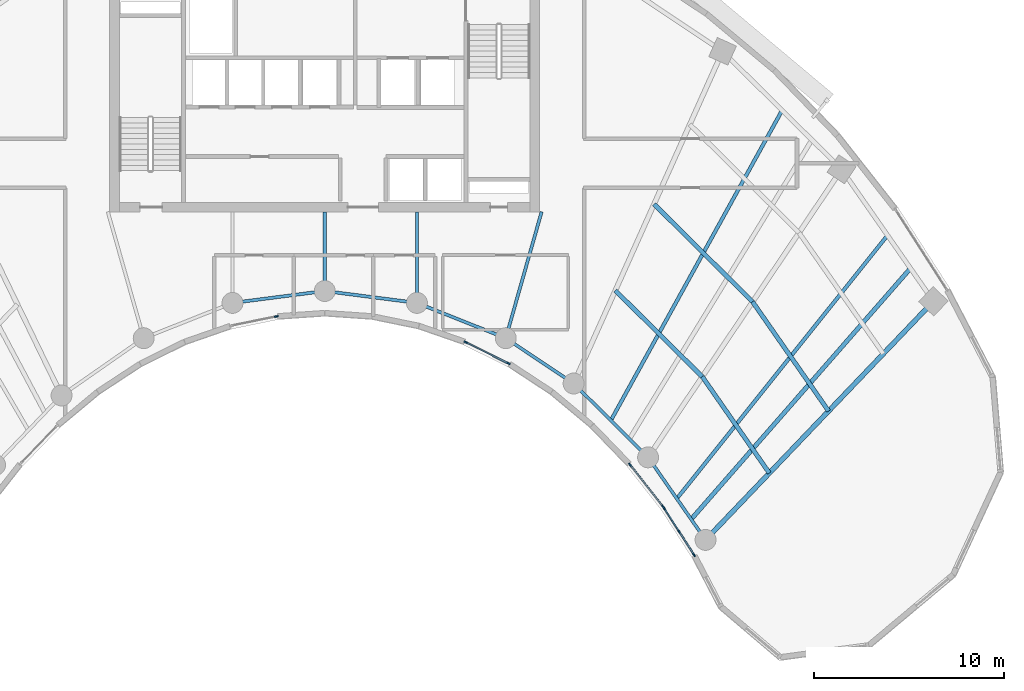
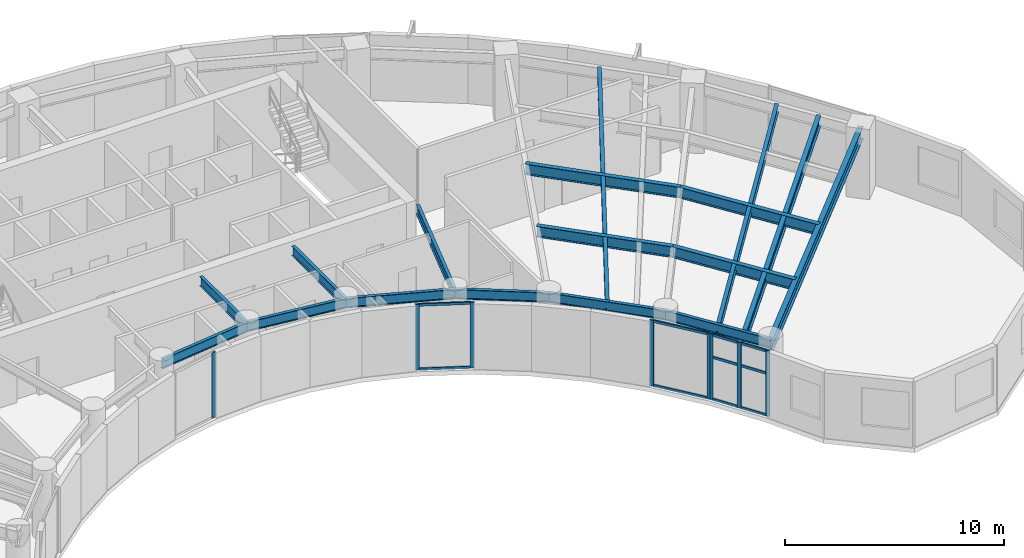
# One storey, part 3 of 13: 18 members, 17 beams, 4 elements without a shape of their own.
"""IFC4 building model written with IfcOpenShell, lengths in metres."""

from ifc_helpers import new_model, si_unit, direction, frame, origin, origin_2d, place, context, subcontext, project, spatial, rectangle, i_section, extrude, source, transform, mapped, material, layer, layer_set, material_profile, profile_set, type_object, type_shapes, element, aggregate, save


model = new_model("IFC4")

# Units and contexts
model_context = context("Model", 3, precision=1e-05, world=origin(), true_north=direction((0.0, 1.0)))
body_context = subcontext(model_context, "Body", "Model", "MODEL_VIEW")
ifc_project = project(units=[si_unit("LENGTHUNIT", "METRE"), si_unit("AREAUNIT", "SQUARE_METRE"), si_unit("VOLUMEUNIT", "CUBIC_METRE"), si_unit("PLANEANGLEUNIT", "RADIAN"), si_unit("MASSUNIT", "GRAM", prefix="KILO")], contexts=[model_context])

# Site, building, storey
site_placement = place(None, origin())
site = spatial("IfcSite", under=ifc_project, at=site_placement, CompositionType="ELEMENT")
building_placement = place(site_placement, origin())
building = spatial("IfcBuilding", under=site, at=building_placement, Name="Breltana Convention Tower", CompositionType="ELEMENT")
storey_placement = place(building_placement, frame((0.0, 0.0, 162.300048828125)))
storey = spatial("IfcBuildingStorey", under=building, at=storey_placement, Name="L39", CompositionType="ELEMENT", Elevation=162.300048828125)

# Beams
ifc_material_1 = material(Name="Steel ASTM A992 Grade 50", Category="steel")
ifc_material_profile_1 = material_profile(ifc_material_1, i_section(OverallWidth=0.25390625, OverallDepth=0.68798828125, WebThickness=0.01318359375, FlangeThickness=0.02099609375, at=origin_2d()), Name="W27X102")
ifc_profile_set_1 = profile_set([ifc_material_profile_1], Name="Steel ASTM A992 Grade 50")
beam_type_1 = type_object("IfcBeamType", Name="BM-RG-W27X102", PredefinedType="USERDEFINED", material=ifc_profile_set_1)
shared_shape_1 = source(origin(), body_context, "Body", "SweptSolid", [
    extrude(i_section(OverallWidth=0.25390625, OverallDepth=0.68798828125, WebThickness=0.01318359375, FlangeThickness=0.02099609375, at=origin_2d()), origin(), (0.0, 0.0, 1.0), 17.341064453125),
])
type_shapes(beam_type_1, [shared_shape_1])
beam_1_placement = place(storey_placement, frame((68.015380859375, 42.95458984375, 3.305908203125), z_axis=(0.690716462293, 0.723125693581, 0.0), x_axis=(-0.723125693581, 0.690716462293, 0.0)))
element("IfcBeam", 1, at=beam_1_placement, inside=storey, type_object=beam_type_1, Name="L39 Radial Floor Girder R11", ObjectType="GIRDER", PredefinedType="USERDEFINED", context=body_context, shape_type="MappedRepresentation", body=[
    mapped(shared_shape_1, transform((0.0, 0.0, 0.0), scale=1.0)),
])
ifc_material_profile_2 = material_profile(ifc_material_1, i_section(OverallWidth=0.166015625, OverallDepth=0.534912109375, WebThickness=0.01025390625, FlangeThickness=0.0166015625, at=origin_2d()), Name="W21X57")
ifc_profile_set_2 = profile_set([ifc_material_profile_2], Name="Steel ASTM A992 Grade 50")
beam_type_2 = type_object("IfcBeamType", Name="BM-BM-W21X57", PredefinedType="BEAM", material=ifc_profile_set_2)
shared_shape_2 = source(origin(), body_context, "Body", "SweptSolid", [
    extrude(i_section(OverallWidth=0.166015625, OverallDepth=0.534912109375, WebThickness=0.01025390625, FlangeThickness=0.0166015625, at=origin_2d()), origin(), (0.0, 0.0, 1.0), 6.904541015625),
])
type_shapes(beam_type_2, [shared_shape_2])
beam_2_placement = place(storey_placement, frame((59.39990234375, 60.199951171875, 3.382568359375), z_axis=(-0.273006781054, -0.962012108811, 0.0), x_axis=(0.962012108811, -0.273006781054, 0.0)))
element("IfcBeam", 2, at=beam_2_placement, inside=storey, type_object=beam_type_2, Name="L39 South Core Tie Girder R08", PredefinedType="BEAM", context=body_context, shape_type="MappedRepresentation", body=[
    mapped(shared_shape_2, transform((0.0, 0.0, 0.0), scale=1.0)),
])
shared_shape_3 = source(origin(), body_context, "Body", "SweptSolid", [
    extrude(i_section(OverallWidth=0.166015625, OverallDepth=0.534912109375, WebThickness=0.01025390625, FlangeThickness=0.0166015625, at=origin_2d()), origin(), (0.0, 0.0, 1.0), 4.789306640625),
])
beam_3_placement = place(storey_placement, frame((52.846435546875, 60.199951171875, 3.382568359375), z_axis=(0.0, -1.0, 0.0), x_axis=(1.0, 0.0, 0.0)))
element("IfcBeam", 3, at=beam_3_placement, inside=storey, type_object=beam_type_2, Name="L39 South Core Tie Girder R07", PredefinedType="BEAM", context=body_context, shape_type="MappedRepresentation", body=[
    mapped(shared_shape_3, transform((0.0, 0.0, 0.0), scale=1.0)),
])
shared_shape_4 = source(origin(), body_context, "Body", "SweptSolid", [
    extrude(i_section(OverallWidth=0.166015625, OverallDepth=0.534912109375, WebThickness=0.01025390625, FlangeThickness=0.0166015625, at=origin_2d()), origin(), (0.0, 0.0, 1.0), 4.1640625),
])
beam_4_placement = place(storey_placement, frame((48.0, 60.199951171875, 3.382568359375), z_axis=(0.0, -1.0, 0.0), x_axis=(1.0, 0.0, 0.0)))
element("IfcBeam", 4, at=beam_4_placement, inside=storey, type_object=beam_type_2, Name="L39 South Core Tie Girder R06", PredefinedType="BEAM", context=body_context, shape_type="MappedRepresentation", body=[
    mapped(shared_shape_4, transform((0.0, 0.0, 0.0), scale=1.0)),
])
shared_shape_5 = source(origin(), body_context, "Body", "SweptSolid", [
    extrude(i_section(OverallWidth=0.166015625, OverallDepth=0.534912109375, WebThickness=0.01025390625, FlangeThickness=0.0166015625, at=origin_2d()), origin(), (0.0, 0.0, 1.0), 5.022705078125),
])
beam_5_placement = place(storey_placement, frame((52.846435546875, 55.41064453125, 3.382568359375), z_axis=(0.929458966248, -0.368925507469, 0.0), x_axis=(0.368925507469, 0.929458966248, 0.0)))
element("IfcBeam", 5, at=beam_5_placement, inside=storey, type_object=beam_type_2, Name="L39 Inner Ring Beam 07", PredefinedType="BEAM", context=body_context, shape_type="MappedRepresentation", body=[
    mapped(shared_shape_5, transform((0.0, 0.0, 0.0), scale=1.0)),
])
shared_shape_6 = source(origin(), body_context, "Body", "SweptSolid", [
    extrude(i_section(OverallWidth=0.166015625, OverallDepth=0.534912109375, WebThickness=0.01025390625, FlangeThickness=0.0166015625, at=origin_2d()), origin(), (0.0, 0.0, 1.0), 4.88671875),
])
for number, where, z_axis, x_axis, name in (
    (6, (43.153564453125, 55.41064453125, 3.382568359375), (0.991780525565, 0.127950729231, 0.0), (-0.127950729231, 0.991780525565, 0.0), "L39 Inner Ring Beam 05"),
    (7, (48.0, 56.035888671875, 3.382568359375), (0.991780525565, -0.127950729231, 0.0), (0.127950729231, 0.991780525565, 0.0), "L39 Inner Ring Beam 06"),
):
    element("IfcBeam", number, at=place(storey_placement, frame(where, z_axis=z_axis, x_axis=x_axis)), inside=storey, type_object=beam_type_2, Name=name, PredefinedType="BEAM", context=body_context, shape_type="MappedRepresentation", body=[
        mapped(shared_shape_6, transform((0.0, 0.0, 0.0), scale=1.0)),
    ])
shared_shape_7 = source(origin(), body_context, "Body", "SweptSolid", [
    extrude(i_section(OverallWidth=0.166015625, OverallDepth=0.534912109375, WebThickness=0.01025390625, FlangeThickness=0.0166015625, at=origin_2d()), origin(), (0.0, 0.0, 1.0), 4.2900390625),
])
beam_6_placement = place(storey_placement, frame((57.514892578125, 53.5576171875, 3.382568359375), z_axis=(0.831515827753, -0.555501060482, 0.0), x_axis=(0.555501060482, 0.831515827753, 0.0)))
element("IfcBeam", 8, at=beam_6_placement, inside=storey, type_object=beam_type_2, Name="L39 Inner Ring Beam 08", PredefinedType="BEAM", context=body_context, shape_type="MappedRepresentation", body=[
    mapped(shared_shape_7, transform((0.0, 0.0, 0.0), scale=1.0)),
])
shared_shape_8 = source(origin(), body_context, "Body", "SweptSolid", [
    extrude(i_section(OverallWidth=0.166015625, OverallDepth=0.534912109375, WebThickness=0.01025390625, FlangeThickness=0.0166015625, at=origin_2d()), origin(), (0.0, 0.0, 1.0), 5.51171875),
])
beam_7_placement = place(storey_placement, frame((61.08203125, 51.174560546875, 3.382568359375), z_axis=(0.710090360749, -0.704110559196, 0.0), x_axis=(0.704110559196, 0.710090360749, 0.0)))
element("IfcBeam", 9, at=beam_7_placement, inside=storey, type_object=beam_type_2, Name="L39 Inner Ring Beam 09", PredefinedType="BEAM", context=body_context, shape_type="MappedRepresentation", body=[
    mapped(shared_shape_8, transform((0.0, 0.0, 0.0), scale=1.0)),
])
shared_shape_9 = source(origin(), body_context, "Body", "SweptSolid", [
    extrude(i_section(OverallWidth=0.166015625, OverallDepth=0.534912109375, WebThickness=0.01025390625, FlangeThickness=0.0166015625, at=origin_2d()), origin(), (0.0, 0.0, 1.0), 5.286376953125),
])
beam_8_placement = place(storey_placement, frame((64.995849609375, 47.293701171875, 3.382568359375), z_axis=(0.571194382458, -0.82081482531, 0.0), x_axis=(0.82081482531, 0.571194382458, 0.0)))
element("IfcBeam", 10, at=beam_8_placement, inside=storey, type_object=beam_type_2, Name="L39 Inner Ring Beam 10", PredefinedType="BEAM", context=body_context, shape_type="MappedRepresentation", body=[
    mapped(shared_shape_9, transform((0.0, 0.0, 0.0), scale=1.0)),
])
ifc_material_profile_3 = material_profile(ifc_material_1, i_section(OverallWidth=0.22802734375, OverallDepth=0.60791015625, WebThickness=0.01123046875, FlangeThickness=0.017333984375, at=origin_2d()), Name="W24X76")
ifc_profile_set_3 = profile_set([ifc_material_profile_3], Name="Steel ASTM A992 Grade 50")
beam_type_3 = type_object("IfcBeamType", Name="BM-JSG-02", PredefinedType="JOIST", material=ifc_profile_set_3)
shared_shape_10 = source(origin(), body_context, "Body", "SweptSolid", [
    extrude(i_section(OverallWidth=0.22802734375, OverallDepth=0.60791015625, WebThickness=0.01123046875, FlangeThickness=0.017333984375, at=origin_2d()), origin(), (0.0, 0.0, 1.0), 6.435302734375),
])
beam_9_placement = place(storey_placement, frame((63.27392578125, 56.06298828125, 3.345947265625), z_axis=(0.710116389828, -0.704084308089, 0.0), x_axis=(0.704084308089, 0.710116389828, 0.0)))
element("IfcBeam", 11, at=beam_9_placement, inside=storey, type_object=beam_type_3, Name="L39 Composite Floor Joist 09.1", PredefinedType="JOIST", context=body_context, shape_type="MappedRepresentation", body=[
    mapped(shared_shape_10, transform((0.0, 0.0, 0.0), scale=1.0)),
])
shared_shape_11 = source(origin(), body_context, "Body", "SweptSolid", [
    extrude(i_section(OverallWidth=0.22802734375, OverallDepth=0.60791015625, WebThickness=0.01123046875, FlangeThickness=0.017333984375, at=origin_2d()), origin(), (0.0, 0.0, 1.0), 7.29296875),
])
beam_10_placement = place(storey_placement, frame((65.309326171875, 60.602294921875, 3.345947265625), z_axis=(0.710096551013, -0.704104316305, 0.0), x_axis=(0.704104316305, 0.710096551013, 0.0)))
element("IfcBeam", 12, at=beam_10_placement, inside=storey, type_object=beam_type_3, Name="L39 Composite Floor Joist 09.2", PredefinedType="JOIST", context=body_context, shape_type="MappedRepresentation", body=[
    mapped(shared_shape_11, transform((0.0, 0.0, 0.0), scale=1.0)),
])
ifc_material_profile_4 = material_profile(ifc_material_1, i_section(OverallWidth=0.19091796875, OverallDepth=0.4599609375, WebThickness=0.010009765625, FlangeThickness=0.01611328125, at=origin_2d()), Name="W18X55")
ifc_profile_set_4 = profile_set([ifc_material_profile_4], Name="Steel ASTM A992 Grade 50")
beam_type_4 = type_object("IfcBeamType", Name="BM-JSG-07", PredefinedType="JOIST", material=ifc_profile_set_4)
shared_shape_12 = source(origin(), body_context, "Body", "SweptSolid", [
    extrude(i_section(OverallWidth=0.19091796875, OverallDepth=0.4599609375, WebThickness=0.010009765625, FlangeThickness=0.01611328125, at=origin_2d()), origin(), (0.0, 0.0, 1.0), 18.617431640625),
])
beam_11_placement = place(storey_placement, frame((63.038818359375, 49.234130859375, 3.419921875), z_axis=(0.483405602507, 0.875396495004, 0.0), x_axis=(-0.875396495004, 0.483405602507, 0.0)))
element("IfcBeam", 13, at=beam_11_placement, inside=storey, type_object=beam_type_4, Name="L39 Mid-Bay Radial Trimmer 09", PredefinedType="JOIST", context=body_context, shape_type="MappedRepresentation", body=[
    mapped(shared_shape_12, transform((0.0, 0.0, 0.0), scale=1.0)),
])
shared_shape_13 = source(origin(), body_context, "Body", "SweptSolid", [
    extrude(i_section(OverallWidth=0.22802734375, OverallDepth=0.60791015625, WebThickness=0.01123046875, FlangeThickness=0.017333984375, at=origin_2d()), origin(), (0.0, 0.0, 1.0), 6.172119140625),
])
beam_12_placement = place(storey_placement, frame((67.84375, 51.531982421875, 3.345947265625), z_axis=(0.571211663392, -0.820802799462, 0.0), x_axis=(0.820802799462, 0.571211663392, 0.0)))
element("IfcBeam", 14, at=beam_12_placement, inside=storey, type_object=beam_type_3, Name="L39 Composite Floor Joist 10.1", PredefinedType="JOIST", context=body_context, shape_type="MappedRepresentation", body=[
    mapped(shared_shape_13, transform((0.0, 0.0, 0.0), scale=1.0)),
])
shared_shape_14 = source(origin(), body_context, "Body", "SweptSolid", [
    extrude(i_section(OverallWidth=0.22802734375, OverallDepth=0.60791015625, WebThickness=0.01123046875, FlangeThickness=0.017333984375, at=origin_2d()), origin(), (0.0, 0.0, 1.0), 6.99462890625),
])
beam_13_placement = place(storey_placement, frame((70.488037109375, 55.46728515625, 3.345947265625), z_axis=(0.571206630732, -0.820806301759, 0.0), x_axis=(0.820806301759, 0.571206630732, 0.0)))
element("IfcBeam", 15, at=beam_13_placement, inside=storey, type_object=beam_type_3, Name="L39 Composite Floor Joist 10.2", PredefinedType="JOIST", context=body_context, shape_type="MappedRepresentation", body=[
    mapped(shared_shape_14, transform((0.0, 0.0, 0.0), scale=1.0)),
])
shared_shape_15 = source(origin(), body_context, "Body", "SweptSolid", [
    extrude(i_section(OverallWidth=0.19091796875, OverallDepth=0.4599609375, WebThickness=0.010009765625, FlangeThickness=0.01611328125, at=origin_2d()), origin(), (0.0, 0.0, 1.0), 17.7236328125),
])
beam_14_placement = place(storey_placement, frame((66.505615234375, 45.124267578125, 3.419921875), z_axis=(0.624829427563, 0.78076128647, 0.0), x_axis=(-0.78076128647, 0.624829427563, 0.0)))
element("IfcBeam", 16, at=beam_14_placement, inside=storey, type_object=beam_type_4, Name="L39 Mid-Bay Radial Trimmer 10", PredefinedType="JOIST", context=body_context, shape_type="MappedRepresentation", body=[
    mapped(shared_shape_15, transform((0.0, 0.0, 0.0), scale=1.0)),
])
shared_shape_16 = source(origin(), body_context, "Body", "SweptSolid", [
    extrude(i_section(OverallWidth=0.22802734375, OverallDepth=0.60791015625, WebThickness=0.01123046875, FlangeThickness=0.017333984375, at=origin_2d()), origin(), (0.0, 0.0, 1.0), 17.515625),
])
beam_15_placement = place(storey_placement, frame((67.260498046875, 44.03955078125, 3.345947265625), z_axis=(0.658051548324, 0.752972881151, 0.0), x_axis=(-0.752972881151, 0.658051548324, 0.0)))
element("IfcBeam", 17, at=beam_15_placement, inside=storey, type_object=beam_type_3, Name="L39 Quarter-Bay Radial Trimmer 10", PredefinedType="JOIST", context=body_context, shape_type="MappedRepresentation", body=[
    mapped(shared_shape_16, transform((0.0, 0.0, 0.0), scale=1.0)),
])

# Curtain wall, members
ifc_material_2 = material(Name="Aluminium Anodised Bronze Frame", Category="aluminium")
ifc_layer = layer(ifc_material_2, 0.18994140625, Name="Aluminium Anodised Bronze Frame")
ifc_layer_set = layer_set([ifc_layer], Name="Aluminium Anodised Bronze Frame")
curtain_wall_type = type_object("IfcCurtainWallType", Name="CW-SYS-1", PredefinedType="NOTDEFINED", material=ifc_layer_set)
curtain_wall_1_placement = place(storey_placement, origin())
curtain_wall_1 = element("IfcCurtainWall", 18, at=curtain_wall_1_placement, inside=storey, type_object=curtain_wall_type, Name="L39 inner south-court glazing 1", PredefinedType="NOTDEFINED")
ifc_material_3 = material(Name="Aluminium Anodised Bronze", Category="aluminium")
ifc_material_profile_5 = material_profile(ifc_material_3, rectangle(XDim=0.080078125, YDim=0.199951171875, at=origin_2d()), Name="CWM-80X200")
ifc_profile_set_5 = profile_set([ifc_material_profile_5], Name="Aluminium Anodised Bronze")
member_type_1 = type_object("IfcMemberType", Name="CWM-200", PredefinedType="MULLION", material=ifc_profile_set_5)
shared_shape_17 = source(origin(), body_context, "Body", "SweptSolid", [
    extrude(rectangle(XDim=0.080078125, YDim=0.199951171875, at=origin_2d()), origin(), (0.0, 0.0, 1.0), 3.64990234375),
])
member_1_placement = place(storey_placement, frame((67.40966796875, 42.17041015625, 0.0), z_axis=(0.0, 0.0, 1.0), x_axis=(-0.841546744491, -0.540184298954, 0.0)))
member_1 = element("IfcMember", 19, at=member_1_placement, type_object=member_type_1, Name="CW-01 mullion 1", PredefinedType="MULLION", context=body_context, shape_type="MappedRepresentation", body=[
    mapped(shared_shape_17, transform((0.0, 0.0, 0.0), scale=1.0)),
])
member_2_placement = place(storey_placement, frame((66.626220703125, 43.390869140625, 0.0), z_axis=(0.0, 0.0, 1.0), x_axis=(-0.841546744491, -0.540184298954, 0.0)))
member_2 = element("IfcMember", 20, at=member_2_placement, type_object=member_type_1, Name="CW-01 mullion 2", PredefinedType="MULLION", context=body_context, shape_type="MappedRepresentation", body=[
    mapped(shared_shape_17, transform((0.0, 0.0, 0.0), scale=1.0)),
])
member_3_placement = place(storey_placement, frame((65.843017578125, 44.611328125, 0.0), z_axis=(0.0, 0.0, 1.0), x_axis=(-0.841546744491, -0.540184298954, 0.0)))
member_3 = element("IfcMember", 21, at=member_3_placement, type_object=member_type_1, Name="CW-01 mullion 3", PredefinedType="MULLION", context=body_context, shape_type="MappedRepresentation", body=[
    mapped(shared_shape_17, transform((0.0, 0.0, 0.0), scale=1.0)),
])

curtain_wall_2_placement = place(storey_placement, origin())
curtain_wall_2 = element("IfcCurtainWall", 22, at=curtain_wall_2_placement, inside=storey, type_object=curtain_wall_type, Name="L39 inner south-court glazing 2", PredefinedType="NOTDEFINED")
member_4_placement = place(storey_placement, frame((65.78662109375, 44.6904296875, 0.0), z_axis=(0.0, 0.0, 1.0), x_axis=(-0.786051168431, -0.618161435717, 0.0)))
member_4 = element("IfcMember", 23, at=member_4_placement, type_object=member_type_1, Name="CW-01 mullion 1", PredefinedType="MULLION", context=body_context, shape_type="MappedRepresentation", body=[
    mapped(shared_shape_17, transform((0.0, 0.0, 0.0), scale=1.0)),
])
member_5_placement = place(storey_placement, frame((64.045166015625, 46.905029296875, 0.0), z_axis=(0.0, 0.0, 1.0), x_axis=(-0.786051168431, -0.618161435717, 0.0)))
member_5 = element("IfcMember", 24, at=member_5_placement, type_object=member_type_1, Name="CW-01 mullion 2", PredefinedType="MULLION", context=body_context, shape_type="MappedRepresentation", body=[
    mapped(shared_shape_17, transform((0.0, 0.0, 0.0), scale=1.0)),
])

curtain_wall_3_placement = place(storey_placement, origin())
curtain_wall_3 = element("IfcCurtainWall", 25, at=curtain_wall_3_placement, inside=storey, type_object=curtain_wall_type, Name="L39 inner south-court glazing 3", PredefinedType="NOTDEFINED")
member_6_placement = place(storey_placement, frame((57.65625, 52.23095703125, 0.0), z_axis=(0.0, 0.0, 1.0), x_axis=(-0.444115496562, -0.895969545082, 0.0)))
member_6 = element("IfcMember", 26, at=member_6_placement, type_object=member_type_1, Name="CW-01 mullion 1", PredefinedType="MULLION", context=body_context, shape_type="MappedRepresentation", body=[
    mapped(shared_shape_17, transform((0.0, 0.0, 0.0), scale=1.0)),
])
member_7_placement = place(storey_placement, frame((55.412353515625, 53.34326171875, 0.0), z_axis=(0.0, 0.0, 1.0), x_axis=(-0.444115496562, -0.895969545082, 0.0)))
member_7 = element("IfcMember", 27, at=member_7_placement, type_object=member_type_1, Name="CW-01 mullion 2", PredefinedType="MULLION", context=body_context, shape_type="MappedRepresentation", body=[
    mapped(shared_shape_17, transform((0.0, 0.0, 0.0), scale=1.0)),
])

# Curtain wall, member
curtain_wall_4_placement = place(storey_placement, origin())
curtain_wall_4 = element("IfcCurtainWall", 28, at=curtain_wall_4_placement, inside=storey, type_object=curtain_wall_type, Name="L39 inner south-court glazing 4", PredefinedType="NOTDEFINED")
member_8_placement = place(storey_placement, frame((45.458740234375, 54.69677734375, 0.0), z_axis=(0.0, 0.0, 1.0), x_axis=(0.200861178299, -0.979619715529, 0.0)))
member_8 = element("IfcMember", 29, at=member_8_placement, type_object=member_type_1, Name="CW-01 mullion 1", PredefinedType="MULLION", context=body_context, shape_type="MappedRepresentation", body=[
    mapped(shared_shape_17, transform((0.0, 0.0, 0.0), scale=1.0)),
])
aggregate(curtain_wall_4, [member_8])

# Member
ifc_material_profile_6 = material_profile(ifc_material_3, rectangle(XDim=0.080078125, YDim=0.139892578125, at=origin_2d()), Name="CWT-80X140")
ifc_profile_set_6 = profile_set([ifc_material_profile_6], Name="Aluminium Anodised Bronze")
member_type_2 = type_object("IfcMemberType", Name="CWT-140", PredefinedType="USERDEFINED", material=ifc_profile_set_6)
shared_shape_18 = source(origin(), body_context, "Body", "SweptSolid", [
    extrude(rectangle(XDim=0.080078125, YDim=0.139892578125, at=origin_2d()), origin(), (0.0, 0.0, 1.0), 1.3701171875),
])
member_9_placement = place(storey_placement, frame((67.38818359375, 42.2041015625, 0.0400390625), z_axis=(-0.540226175019, 0.841519863, 0.0), x_axis=(-0.841519863, -0.540226175019, 0.0)))
member_9 = element("IfcMember", 30, at=member_9_placement, type_object=member_type_2, Name="CW-01 transom 1.1", ObjectType="TRANSOM", PredefinedType="USERDEFINED", context=body_context, shape_type="MappedRepresentation", body=[
    mapped(shared_shape_18, transform((0.0, 0.0, 0.0), scale=1.0)),
])

member_10_placement = place(storey_placement, frame((67.38818359375, 42.2041015625, 2.37255859375), z_axis=(-0.540226175019, 0.841519863, 0.0), x_axis=(-0.841519863, -0.540226175019, 0.0)))
member_10 = element("IfcMember", 31, at=member_10_placement, type_object=member_type_2, Name="CW-01 transom 1.2", ObjectType="TRANSOM", PredefinedType="USERDEFINED", context=body_context, shape_type="MappedRepresentation", body=[
    mapped(shared_shape_18, transform((0.0, 0.0, 0.0), scale=1.0)),
])

member_11_placement = place(storey_placement, frame((67.38818359375, 42.2041015625, 3.60986328125), z_axis=(-0.540226175019, 0.841519863, 0.0), x_axis=(-0.841519863, -0.540226175019, 0.0)))
member_11 = element("IfcMember", 32, at=member_11_placement, type_object=member_type_2, Name="CW-01 transom 1.3", ObjectType="TRANSOM", PredefinedType="USERDEFINED", context=body_context, shape_type="MappedRepresentation", body=[
    mapped(shared_shape_18, transform((0.0, 0.0, 0.0), scale=1.0)),
])

member_12_placement = place(storey_placement, frame((66.604736328125, 43.424560546875, 0.0400390625), z_axis=(-0.540226175019, 0.841519863, 0.0), x_axis=(-0.841519863, -0.540226175019, 0.0)))
member_12 = element("IfcMember", 33, at=member_12_placement, type_object=member_type_2, Name="CW-01 transom 2.1", ObjectType="TRANSOM", PredefinedType="USERDEFINED", context=body_context, shape_type="MappedRepresentation", body=[
    mapped(shared_shape_18, transform((0.0, 0.0, 0.0), scale=1.0)),
])

member_13_placement = place(storey_placement, frame((66.604736328125, 43.424560546875, 2.37255859375), z_axis=(-0.540226175019, 0.841519863, 0.0), x_axis=(-0.841519863, -0.540226175019, 0.0)))
member_13 = element("IfcMember", 34, at=member_13_placement, type_object=member_type_2, Name="CW-01 transom 2.2", ObjectType="TRANSOM", PredefinedType="USERDEFINED", context=body_context, shape_type="MappedRepresentation", body=[
    mapped(shared_shape_18, transform((0.0, 0.0, 0.0), scale=1.0)),
])

member_14_placement = place(storey_placement, frame((66.604736328125, 43.424560546875, 3.60986328125), z_axis=(-0.540226175019, 0.841519863, 0.0), x_axis=(-0.841519863, -0.540226175019, 0.0)))
member_14 = element("IfcMember", 35, at=member_14_placement, type_object=member_type_2, Name="CW-01 transom 2.3", ObjectType="TRANSOM", PredefinedType="USERDEFINED", context=body_context, shape_type="MappedRepresentation", body=[
    mapped(shared_shape_18, transform((0.0, 0.0, 0.0), scale=1.0)),
])

aggregate(curtain_wall_1, [member_1, member_2, member_3, member_9, member_10, member_11, member_12, member_13, member_14])

shared_shape_19 = source(origin(), body_context, "Body", "SweptSolid", [
    extrude(rectangle(XDim=0.080078125, YDim=0.139892578125, at=origin_2d()), origin(), (0.0, 0.0, 1.0), 2.7373046875),
])
member_15_placement = place(storey_placement, frame((65.761962890625, 44.721923828125, 0.0400390625), z_axis=(-0.618179938224, 0.786036617453, 0.0), x_axis=(-0.786036617453, -0.618179938224, 0.0)))
member_15 = element("IfcMember", 36, at=member_15_placement, type_object=member_type_2, Name="CW-01 transom 1.1", ObjectType="TRANSOM", PredefinedType="USERDEFINED", context=body_context, shape_type="MappedRepresentation", body=[
    mapped(shared_shape_19, transform((0.0, 0.0, 0.0), scale=1.0)),
])

member_16_placement = place(storey_placement, frame((65.761962890625, 44.721923828125, 3.60986328125), z_axis=(-0.618179938224, 0.786036617453, 0.0), x_axis=(-0.786036617453, -0.618179938224, 0.0)))
member_16 = element("IfcMember", 37, at=member_16_placement, type_object=member_type_2, Name="CW-01 transom 1.2", ObjectType="TRANSOM", PredefinedType="USERDEFINED", context=body_context, shape_type="MappedRepresentation", body=[
    mapped(shared_shape_19, transform((0.0, 0.0, 0.0), scale=1.0)),
])

aggregate(curtain_wall_2, [member_4, member_5, member_15, member_16])

shared_shape_20 = source(origin(), body_context, "Body", "SweptSolid", [
    extrude(rectangle(XDim=0.080078125, YDim=0.139892578125, at=origin_2d()), origin(), (0.0, 0.0, 1.0), 2.42431640625),
])
member_17_placement = place(storey_placement, frame((57.620361328125, 52.248779296875, 0.0400390625), z_axis=(-0.895932597015, 0.44419002871, 0.0), x_axis=(-0.44419002871, -0.895932597015, 0.0)))
member_17 = element("IfcMember", 38, at=member_17_placement, type_object=member_type_2, Name="CW-01 transom 1.1", ObjectType="TRANSOM", PredefinedType="USERDEFINED", context=body_context, shape_type="MappedRepresentation", body=[
    mapped(shared_shape_20, transform((0.0, 0.0, 0.0), scale=1.0)),
])

member_18_placement = place(storey_placement, frame((57.620361328125, 52.248779296875, 3.60986328125), z_axis=(-0.895932597015, 0.44419002871, 0.0), x_axis=(-0.44419002871, -0.895932597015, 0.0)))
member_18 = element("IfcMember", 39, at=member_18_placement, type_object=member_type_2, Name="CW-01 transom 1.2", ObjectType="TRANSOM", PredefinedType="USERDEFINED", context=body_context, shape_type="MappedRepresentation", body=[
    mapped(shared_shape_20, transform((0.0, 0.0, 0.0), scale=1.0)),
])

aggregate(curtain_wall_3, [member_6, member_7, member_17, member_18])

save(model, "model.ifc")
